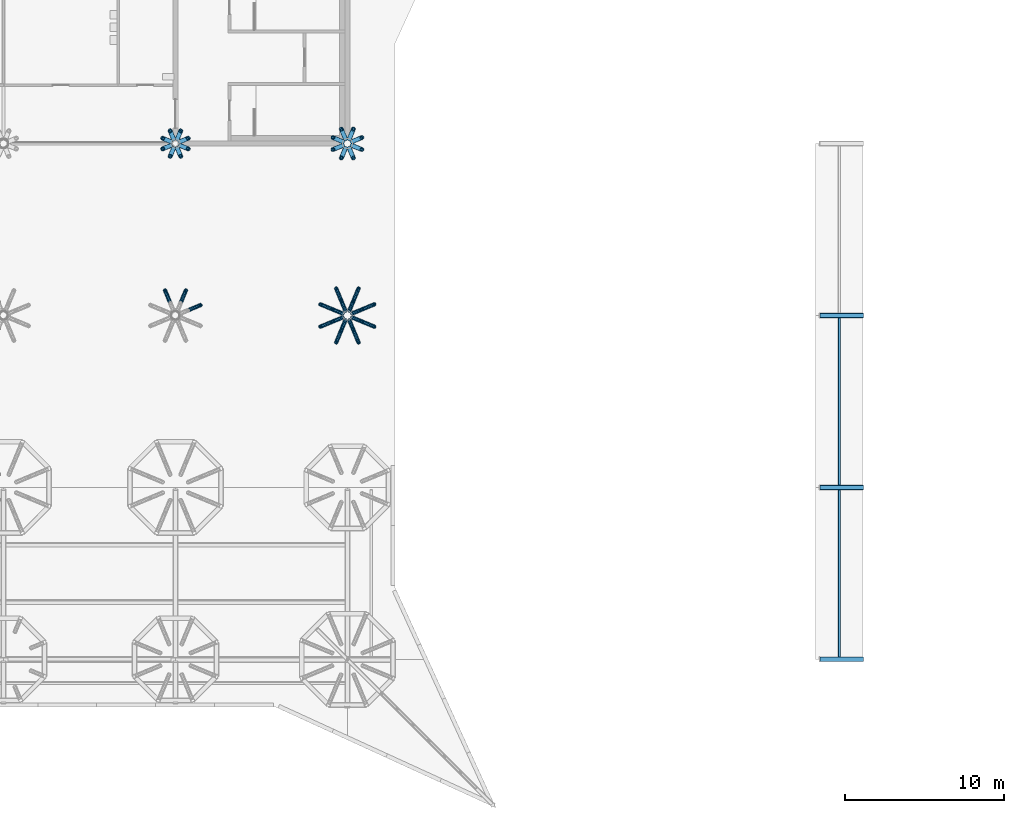
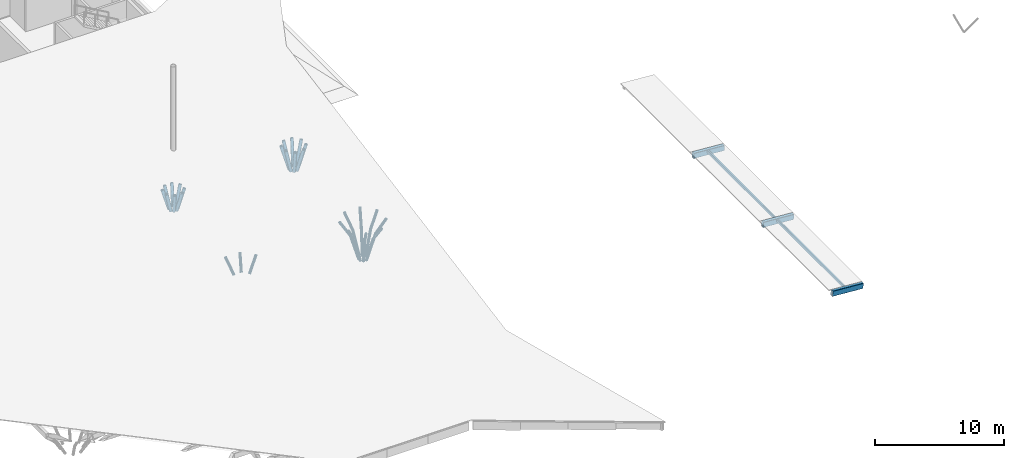
# One storey, part 19 of 56: 35 members, 5 beams.
"""IFC4 building model written with IfcOpenShell, lengths in metres."""

from ifc_helpers import new_model, si_unit, direction, frame, origin, origin_2d, place, context, subcontext, project, spatial, hollow_rectangle, hollow_circle, extrude, material, material_profile, profile_set, type_object, element, save


model = new_model("IFC4")

# Units and contexts
model_context = context("Model", 3, precision=1e-05, world=origin(), true_north=direction((0.0, 1.0)))
body_context = subcontext(model_context, "Body", "Model", "MODEL_VIEW")
ifc_project = project(units=[si_unit("LENGTHUNIT", "METRE"), si_unit("AREAUNIT", "SQUARE_METRE"), si_unit("VOLUMEUNIT", "CUBIC_METRE"), si_unit("PLANEANGLEUNIT", "RADIAN"), si_unit("MASSUNIT", "GRAM", prefix="KILO")], contexts=[model_context])

# Site, building, storey
site_placement = place(None, origin())
site = spatial("IfcSite", under=ifc_project, at=site_placement, CompositionType="ELEMENT")
building_placement = place(site_placement, origin())
building = spatial("IfcBuilding", under=site, at=building_placement, Name="Magnolia Steps Interchange", CompositionType="ELEMENT")
storey_placement = place(building_placement, frame((0.0, 0.0, 8.699951171875)))
storey = spatial("IfcBuildingStorey", under=building, at=storey_placement, Name="L02", CompositionType="ELEMENT", Elevation=8.699951171875)

# Beams
ifc_material_1 = material(Name="Steel Q355B", Category="steel")
ifc_material_profile_1 = material_profile(ifc_material_1, hollow_rectangle(XDim=0.300048828125, YDim=0.5, WallThickness=0.01611328125, InnerFilletRadius=0.01611328125, OuterFilletRadius=0.031982421875, at=origin_2d()), Name="RHS500x300x16")
ifc_profile_set_1 = profile_set([ifc_material_profile_1], Name="Steel Q355B")
beam_type_1 = type_object("IfcBeamType", Name="Roof beam RHS500x300x16", PredefinedType="BEAM", material=ifc_profile_set_1)
for number, where, z_axis, x_axis, name in (
    (1, (147.659912109375, 42.39990234375, 0.130126953125), (0.997354349123, 0.0, -0.072693206592), (0.0, 1.0, 0.0), "Roof beam"),
    (2, (147.659912109375, 53.199951171875, 0.130126953125), (0.997354349123, 0.0, -0.072693206592), (0.0, 1.0, 0.0), "Roof beam"),
    (3, (147.659912109375, 64.0, 0.130126953125), (0.997354349123, 0.0, -0.072693206592), (0.0, 1.0, 0.0), "Roof beam"),
):
    element("IfcBeam", number, at=place(storey_placement, frame(where, z_axis=z_axis, x_axis=x_axis)), inside=storey, type_object=beam_type_1, Name=name, PredefinedType="BEAM", context=body_context, shape_type="SweptSolid", body=[
        extrude(hollow_rectangle(XDim=0.300048828125, YDim=0.5, WallThickness=0.01611328125, InnerFilletRadius=0.01611328125, OuterFilletRadius=0.031982421875, at=origin_2d()), origin(), (0.0, 0.0, 1.0), 2.747314453125),
    ])
ifc_material_2 = material(Name="Steel Q355B", Category="steel")
ifc_material_profile_2 = material_profile(ifc_material_2, hollow_rectangle(XDim=0.14990234375, YDim=0.25, WallThickness=0.008056640625, InnerFilletRadius=0.008056640625, OuterFilletRadius=0.01611328125, at=origin_2d()), Name="RHS250x150x8")
ifc_profile_set_2 = profile_set([ifc_material_profile_2], Name="Steel Q355B")
beam_type_2 = type_object("IfcBeamType", Name="Roof edge joist RHS250x150x8", PredefinedType="BEAM", material=ifc_profile_set_2)
for number, where, z_axis, x_axis, name in (
    (4, (148.89990234375, 42.550048828125, 0.1650390625), (0.0, 1.0, 0.0), (-0.997352109794, 0.0, 0.072723923782), "Roof edge joist"),
    (5, (148.89990234375, 53.35009765625, 0.1650390625), (0.0, 1.0, 0.0), (-0.997352109794, 0.0, 0.072723923782), "Roof edge joist"),
):
    element("IfcBeam", number, at=place(storey_placement, frame(where, z_axis=z_axis, x_axis=x_axis)), inside=storey, type_object=beam_type_2, Name=name, PredefinedType="BEAM", context=body_context, shape_type="SweptSolid", body=[
        extrude(hollow_rectangle(XDim=0.14990234375, YDim=0.25, WallThickness=0.008056640625, InnerFilletRadius=0.008056640625, OuterFilletRadius=0.01611328125, at=origin_2d()), origin(), (0.0, 0.0, 1.0), 10.5),
    ])

# Members
ifc_material_3 = material(Name="Steel Q355B", Category="steel")
ifc_material_profile_3 = material_profile(ifc_material_3, hollow_circle(Radius=0.12255859375, WallThickness=0.011962890625, at=origin_2d()), Name="CHS245x12")
ifc_profile_set_3 = profile_set([ifc_material_profile_3], Name="Steel Q355B")
member_type_1 = type_object("IfcMemberType", Name="Tree rib CHS245x12", PredefinedType="USERDEFINED", material=ifc_profile_set_3)
for number, where, z_axis, x_axis, name in (
    (6, (107.98974609375, 64.3271484375, 2.537109375), (0.489571014481, 0.202820124805, 0.848047297475), (-0.382736860682, 0.923857399968, 0.0), "Tree rib TH06C"),
    (7, (107.527099609375, 64.789794921875, 2.537109375), (0.202820124805, 0.489571014481, 0.848047297475), (-0.923857399968, 0.382736860682, 0.0), "Tree rib TH06C"),
    (8, (106.872802734375, 64.789794921875, 2.537109375), (-0.202820124805, 0.489571014481, 0.848047297475), (-0.923857399968, -0.382736860682, 0.0), "Tree rib TH06C"),
):
    element("IfcMember", number, at=place(storey_placement, frame(where, z_axis=z_axis, x_axis=x_axis)), inside=storey, type_object=member_type_1, Name=name, ObjectType="TREE RIB", PredefinedType="USERDEFINED", context=body_context, shape_type="SweptSolid", body=[
        extrude(hollow_circle(Radius=0.12255859375, WallThickness=0.011962890625, at=origin_2d()), origin(), (0.0, 0.0, 1.0), 1.6201171875),
    ])
member_1_placement = place(storey_placement, frame((118.304931640625, 64.126220703125, 0.670166015625), z_axis=(0.254701340525, 0.105485476775, 0.961249208751), x_axis=(-0.382636144688, 0.923899118291, 0.0)))
element("IfcMember", 9, at=member_1_placement, inside=storey, type_object=member_type_1, Name="Tree rib TH07C", ObjectType="TREE RIB", PredefinedType="USERDEFINED", context=body_context, shape_type="SweptSolid", body=[
    extrude(hollow_circle(Radius=0.12255859375, WallThickness=0.011962890625, at=origin_2d()), origin(), (0.0, 0.0, 1.0), 2.3837890625),
])
member_2_placement = place(storey_placement, frame((118.912109375, 64.377685546875, 2.961669921875), z_axis=(0.489456434015, 0.202835086264, 0.848109855491), x_axis=(-0.38283742983, 0.923815729635, 0.0)))
element("IfcMember", 10, at=member_2_placement, inside=storey, type_object=member_type_1, Name="Tree rib TH07C", ObjectType="TREE RIB", PredefinedType="USERDEFINED", context=body_context, shape_type="SweptSolid", body=[
    extrude(hollow_circle(Radius=0.12255859375, WallThickness=0.011962890625, at=origin_2d()), origin(), (0.0, 0.0, 1.0), 1.6201171875),
])
member_3_placement = place(storey_placement, frame((118.126220703125, 64.304931640625, 0.670166015625), z_axis=(0.105485476775, 0.254701340525, 0.961249208751), x_axis=(-0.923899118291, 0.382636144688, 0.0)))
element("IfcMember", 11, at=member_3_placement, inside=storey, type_object=member_type_1, Name="Tree rib TH07C", ObjectType="TREE RIB", PredefinedType="USERDEFINED", context=body_context, shape_type="SweptSolid", body=[
    extrude(hollow_circle(Radius=0.12255859375, WallThickness=0.011962890625, at=origin_2d()), origin(), (0.0, 0.0, 1.0), 2.3837890625),
])
member_4_placement = place(storey_placement, frame((118.377685546875, 64.912109375, 2.961669921875), z_axis=(0.202835086264, 0.489456434015, 0.848109855491), x_axis=(-0.923815729635, 0.38283742983, 0.0)))
element("IfcMember", 12, at=member_4_placement, inside=storey, type_object=member_type_1, Name="Tree rib TH07C", ObjectType="TREE RIB", PredefinedType="USERDEFINED", context=body_context, shape_type="SweptSolid", body=[
    extrude(hollow_circle(Radius=0.12255859375, WallThickness=0.011962890625, at=origin_2d()), origin(), (0.0, 0.0, 1.0), 1.6201171875),
])
member_5_placement = place(storey_placement, frame((117.873779296875, 64.304931640625, 0.670166015625), z_axis=(-0.105485476775, 0.254701340525, 0.961249208751), x_axis=(-0.923899118291, -0.382636144688, 0.0)))
element("IfcMember", 13, at=member_5_placement, inside=storey, type_object=member_type_1, Name="Tree rib TH07C", ObjectType="TREE RIB", PredefinedType="USERDEFINED", context=body_context, shape_type="SweptSolid", body=[
    extrude(hollow_circle(Radius=0.12255859375, WallThickness=0.011962890625, at=origin_2d()), origin(), (0.0, 0.0, 1.0), 2.3837890625),
])
member_6_placement = place(storey_placement, frame((117.622314453125, 64.912109375, 2.961669921875), z_axis=(-0.202835086264, 0.489456434015, 0.848109855491), x_axis=(-0.923815729635, -0.38283742983, 0.0)))
element("IfcMember", 14, at=member_6_placement, inside=storey, type_object=member_type_1, Name="Tree rib TH07C", ObjectType="TREE RIB", PredefinedType="USERDEFINED", context=body_context, shape_type="SweptSolid", body=[
    extrude(hollow_circle(Radius=0.12255859375, WallThickness=0.011962890625, at=origin_2d()), origin(), (0.0, 0.0, 1.0), 1.6201171875),
])
member_7_placement = place(storey_placement, frame((117.695068359375, 64.126220703125, 0.670166015625), z_axis=(-0.254701340525, 0.105485476775, 0.961249208751), x_axis=(-0.382636144688, -0.923899118291, 0.0)))
element("IfcMember", 15, at=member_7_placement, inside=storey, type_object=member_type_1, Name="Tree rib TH07C", ObjectType="TREE RIB", PredefinedType="USERDEFINED", context=body_context, shape_type="SweptSolid", body=[
    extrude(hollow_circle(Radius=0.12255859375, WallThickness=0.011962890625, at=origin_2d()), origin(), (0.0, 0.0, 1.0), 2.3837890625),
])
member_8_placement = place(storey_placement, frame((117.087890625, 64.377685546875, 2.961669921875), z_axis=(-0.489456434015, 0.202835086264, 0.848109855491), x_axis=(-0.38283742983, -0.923815729635, 0.0)))
element("IfcMember", 16, at=member_8_placement, inside=storey, type_object=member_type_1, Name="Tree rib TH07C", ObjectType="TREE RIB", PredefinedType="USERDEFINED", context=body_context, shape_type="SweptSolid", body=[
    extrude(hollow_circle(Radius=0.12255859375, WallThickness=0.011962890625, at=origin_2d()), origin(), (0.0, 0.0, 1.0), 1.6201171875),
])
member_9_placement = place(storey_placement, frame((117.695068359375, 63.873779296875, 0.670166015625), z_axis=(-0.254701340525, -0.105485476775, 0.961249208751), x_axis=(0.382636144688, -0.923899118291, 0.0)))
element("IfcMember", 17, at=member_9_placement, inside=storey, type_object=member_type_1, Name="Tree rib TH07C", ObjectType="TREE RIB", PredefinedType="USERDEFINED", context=body_context, shape_type="SweptSolid", body=[
    extrude(hollow_circle(Radius=0.12255859375, WallThickness=0.011962890625, at=origin_2d()), origin(), (0.0, 0.0, 1.0), 2.3837890625),
])
member_10_placement = place(storey_placement, frame((117.087890625, 63.622314453125, 2.961669921875), z_axis=(-0.489456434015, -0.202835086264, 0.848109855491), x_axis=(0.38283742983, -0.923815729635, 0.0)))
element("IfcMember", 18, at=member_10_placement, inside=storey, type_object=member_type_1, Name="Tree rib TH07C", ObjectType="TREE RIB", PredefinedType="USERDEFINED", context=body_context, shape_type="SweptSolid", body=[
    extrude(hollow_circle(Radius=0.12255859375, WallThickness=0.011962890625, at=origin_2d()), origin(), (0.0, 0.0, 1.0), 1.6201171875),
])
member_11_placement = place(storey_placement, frame((117.873779296875, 63.695068359375, 0.670166015625), z_axis=(-0.105485476775, -0.254701340525, 0.961249208751), x_axis=(0.923899118291, -0.382636144688, 0.0)))
element("IfcMember", 19, at=member_11_placement, inside=storey, type_object=member_type_1, Name="Tree rib TH07C", ObjectType="TREE RIB", PredefinedType="USERDEFINED", context=body_context, shape_type="SweptSolid", body=[
    extrude(hollow_circle(Radius=0.12255859375, WallThickness=0.011962890625, at=origin_2d()), origin(), (0.0, 0.0, 1.0), 2.3837890625),
])
member_12_placement = place(storey_placement, frame((117.622314453125, 63.087890625, 2.961669921875), z_axis=(-0.202835086264, -0.489456434015, 0.848109855491), x_axis=(0.923815729635, -0.38283742983, 0.0)))
element("IfcMember", 20, at=member_12_placement, inside=storey, type_object=member_type_1, Name="Tree rib TH07C", ObjectType="TREE RIB", PredefinedType="USERDEFINED", context=body_context, shape_type="SweptSolid", body=[
    extrude(hollow_circle(Radius=0.12255859375, WallThickness=0.011962890625, at=origin_2d()), origin(), (0.0, 0.0, 1.0), 1.6201171875),
])
member_13_placement = place(storey_placement, frame((118.126220703125, 63.695068359375, 0.670166015625), z_axis=(0.105485476775, -0.254701340525, 0.961249208751), x_axis=(0.923899118291, 0.382636144688, 0.0)))
element("IfcMember", 21, at=member_13_placement, inside=storey, type_object=member_type_1, Name="Tree rib TH07C", ObjectType="TREE RIB", PredefinedType="USERDEFINED", context=body_context, shape_type="SweptSolid", body=[
    extrude(hollow_circle(Radius=0.12255859375, WallThickness=0.011962890625, at=origin_2d()), origin(), (0.0, 0.0, 1.0), 2.3837890625),
])
member_14_placement = place(storey_placement, frame((118.377685546875, 63.087890625, 2.961669921875), z_axis=(0.202835086264, -0.489456434015, 0.848109855491), x_axis=(0.923815729635, 0.38283742983, 0.0)))
element("IfcMember", 22, at=member_14_placement, inside=storey, type_object=member_type_1, Name="Tree rib TH07C", ObjectType="TREE RIB", PredefinedType="USERDEFINED", context=body_context, shape_type="SweptSolid", body=[
    extrude(hollow_circle(Radius=0.12255859375, WallThickness=0.011962890625, at=origin_2d()), origin(), (0.0, 0.0, 1.0), 1.6201171875),
])
member_15_placement = place(storey_placement, frame((118.304931640625, 63.873779296875, 0.670166015625), z_axis=(0.254701340525, -0.105485476775, 0.961249208751), x_axis=(0.382636144688, 0.923899118291, 0.0)))
element("IfcMember", 23, at=member_15_placement, inside=storey, type_object=member_type_1, Name="Tree rib TH07C", ObjectType="TREE RIB", PredefinedType="USERDEFINED", context=body_context, shape_type="SweptSolid", body=[
    extrude(hollow_circle(Radius=0.12255859375, WallThickness=0.011962890625, at=origin_2d()), origin(), (0.0, 0.0, 1.0), 2.3837890625),
])
member_16_placement = place(storey_placement, frame((118.912109375, 63.622314453125, 2.961669921875), z_axis=(0.489456434015, -0.202835086264, 0.848109855491), x_axis=(0.38283742983, 0.923815729635, 0.0)))
element("IfcMember", 24, at=member_16_placement, inside=storey, type_object=member_type_1, Name="Tree rib TH07C", ObjectType="TREE RIB", PredefinedType="USERDEFINED", context=body_context, shape_type="SweptSolid", body=[
    extrude(hollow_circle(Radius=0.12255859375, WallThickness=0.011962890625, at=origin_2d()), origin(), (0.0, 0.0, 1.0), 1.6201171875),
])
ifc_material_4 = material(Name="Steel Q355B", Category="steel")
ifc_material_profile_4 = material_profile(ifc_material_4, hollow_circle(Radius=0.136474609375, WallThickness=0.013916015625, at=origin_2d()), Name="CHS273x14")
ifc_profile_set_4 = profile_set([ifc_material_profile_4], Name="Steel Q355B")
member_type_2 = type_object("IfcMemberType", Name="Tree rib CHS273x14", PredefinedType="USERDEFINED", material=ifc_profile_set_4)
member_17_placement = place(storey_placement, frame((107.5048828125, 74.92626953125, 2.645751953125), z_axis=(0.254661831218, 0.105558015292, 0.961251713719), x_axis=(-0.382911401564, 0.923785071622, 0.0)))
element("IfcMember", 25, at=member_17_placement, inside=storey, type_object=member_type_2, Name="Tree rib TH06D", ObjectType="TREE RIB", PredefinedType="USERDEFINED", context=body_context, shape_type="SweptSolid", body=[
    extrude(hollow_circle(Radius=0.136474609375, WallThickness=0.013916015625, at=origin_2d()), origin(), (0.0, 0.0, 1.0), 1.956787109375),
])
member_18_placement = place(storey_placement, frame((107.326416015625, 75.10498046875, 2.645751953125), z_axis=(0.10543463007, 0.254665183401, 0.961264366938), x_axis=(-0.923945120737, 0.382525049986, 0.0)))
element("IfcMember", 26, at=member_18_placement, inside=storey, type_object=member_type_2, Name="Tree rib TH06D", ObjectType="TREE RIB", PredefinedType="USERDEFINED", context=body_context, shape_type="SweptSolid", body=[
    extrude(hollow_circle(Radius=0.136474609375, WallThickness=0.013916015625, at=origin_2d()), origin(), (0.0, 0.0, 1.0), 1.95654296875),
])
for number, where, z_axis, x_axis, name in (
    (27, (107.07373046875, 75.10498046875, 2.645751953125), (-0.105558015292, 0.254661831218, 0.961251713719), (-0.923785071622, -0.382911401564, 0.0), "Tree rib TH06D"),
    (28, (106.89501953125, 74.92626953125, 2.645751953125), (-0.254661831218, 0.105558015292, 0.961251713719), (-0.382911401564, -0.923785071622, 0.0), "Tree rib TH06D"),
):
    element("IfcMember", number, at=place(storey_placement, frame(where, z_axis=z_axis, x_axis=x_axis)), inside=storey, type_object=member_type_2, Name=name, ObjectType="TREE RIB", PredefinedType="USERDEFINED", context=body_context, shape_type="SweptSolid", body=[
        extrude(hollow_circle(Radius=0.136474609375, WallThickness=0.013916015625, at=origin_2d()), origin(), (0.0, 0.0, 1.0), 1.956787109375),
    ])
member_19_placement = place(storey_placement, frame((106.89501953125, 74.673583984375, 2.645751953125), z_axis=(-0.254665183401, -0.10543463007, 0.961264366938), x_axis=(0.382525049986, -0.923945120737, 0.0)))
element("IfcMember", 29, at=member_19_placement, inside=storey, type_object=member_type_2, Name="Tree rib TH06D", ObjectType="TREE RIB", PredefinedType="USERDEFINED", context=body_context, shape_type="SweptSolid", body=[
    extrude(hollow_circle(Radius=0.136474609375, WallThickness=0.013916015625, at=origin_2d()), origin(), (0.0, 0.0, 1.0), 1.95654296875),
])
member_20_placement = place(storey_placement, frame((107.07373046875, 74.4951171875, 2.645751953125), z_axis=(-0.105558015292, -0.254661831218, 0.961251713719), x_axis=(0.923785071622, -0.382911401564, 0.0)))
element("IfcMember", 30, at=member_20_placement, inside=storey, type_object=member_type_2, Name="Tree rib TH06D", ObjectType="TREE RIB", PredefinedType="USERDEFINED", context=body_context, shape_type="SweptSolid", body=[
    extrude(hollow_circle(Radius=0.136474609375, WallThickness=0.013916015625, at=origin_2d()), origin(), (0.0, 0.0, 1.0), 1.956787109375),
])
for number, where, z_axis, x_axis, name in (
    (31, (107.326416015625, 74.4951171875, 2.645751953125), (0.10543463007, -0.254665183401, 0.961264366938), (0.923945120737, 0.382525049986, 0.0), "Tree rib TH06D"),
    (32, (107.5048828125, 74.673583984375, 2.645751953125), (0.254665183401, -0.10543463007, 0.961264366938), (0.382525049986, 0.923945120737, 0.0), "Tree rib TH06D"),
):
    element("IfcMember", number, at=place(storey_placement, frame(where, z_axis=z_axis, x_axis=x_axis)), inside=storey, type_object=member_type_2, Name=name, ObjectType="TREE RIB", PredefinedType="USERDEFINED", context=body_context, shape_type="SweptSolid", body=[
        extrude(hollow_circle(Radius=0.136474609375, WallThickness=0.013916015625, at=origin_2d()), origin(), (0.0, 0.0, 1.0), 1.95654296875),
    ])
for number, where, z_axis, x_axis, name in (
    (33, (118.304931640625, 74.92626953125, 2.645751953125), (0.254701340525, 0.105485476775, 0.961249208751), (-0.382636144688, 0.923899118291, 0.0), "Tree rib TH07D"),
    (34, (118.126220703125, 75.10498046875, 2.645751953125), (0.105488227892, 0.254605567514, 0.961274278636), (-0.923844700065, 0.382767514508, 0.0), "Tree rib TH07D"),
    (35, (117.873779296875, 75.10498046875, 2.645751953125), (-0.105488227892, 0.254605567514, 0.961274278636), (-0.923844700065, -0.382767514508, 0.0), "Tree rib TH07D"),
    (36, (117.695068359375, 74.92626953125, 2.645751953125), (-0.254701340525, 0.105485476775, 0.961249208751), (-0.382636144688, -0.923899118291, 0.0), "Tree rib TH07D"),
    (37, (117.695068359375, 74.673583984375, 2.645751953125), (-0.254704090796, -0.10538420162, 0.961259588343), (0.382318975891, -0.924030411119, 0.0), "Tree rib TH07D"),
    (38, (117.873779296875, 74.4951171875, 2.645751953125), (-0.105485476775, -0.254701340525, 0.961249208751), (0.923899118291, -0.382636144688, 0.0), "Tree rib TH07D"),
    (39, (118.126220703125, 74.4951171875, 2.645751953125), (0.105485476775, -0.254701340525, 0.961249208751), (0.923899118291, 0.382636144688, 0.0), "Tree rib TH07D"),
    (40, (118.304931640625, 74.673583984375, 2.645751953125), (0.254704090796, -0.10538420162, 0.961259588343), (0.382318975891, 0.924030411119, 0.0), "Tree rib TH07D"),
):
    element("IfcMember", number, at=place(storey_placement, frame(where, z_axis=z_axis, x_axis=x_axis)), inside=storey, type_object=member_type_2, Name=name, ObjectType="TREE RIB", PredefinedType="USERDEFINED", context=body_context, shape_type="SweptSolid", body=[
        extrude(hollow_circle(Radius=0.136474609375, WallThickness=0.013916015625, at=origin_2d()), origin(), (0.0, 0.0, 1.0), 2.3837890625),
    ])

save(model, "model.ifc")
